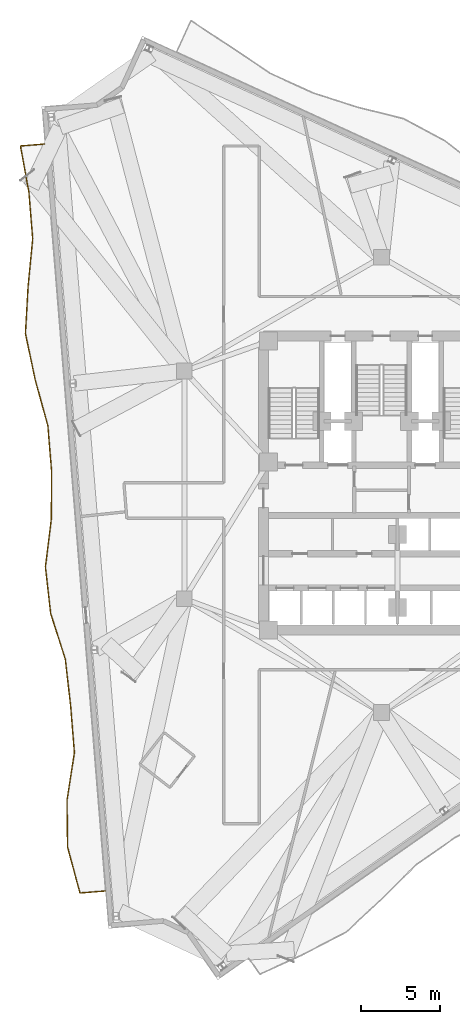
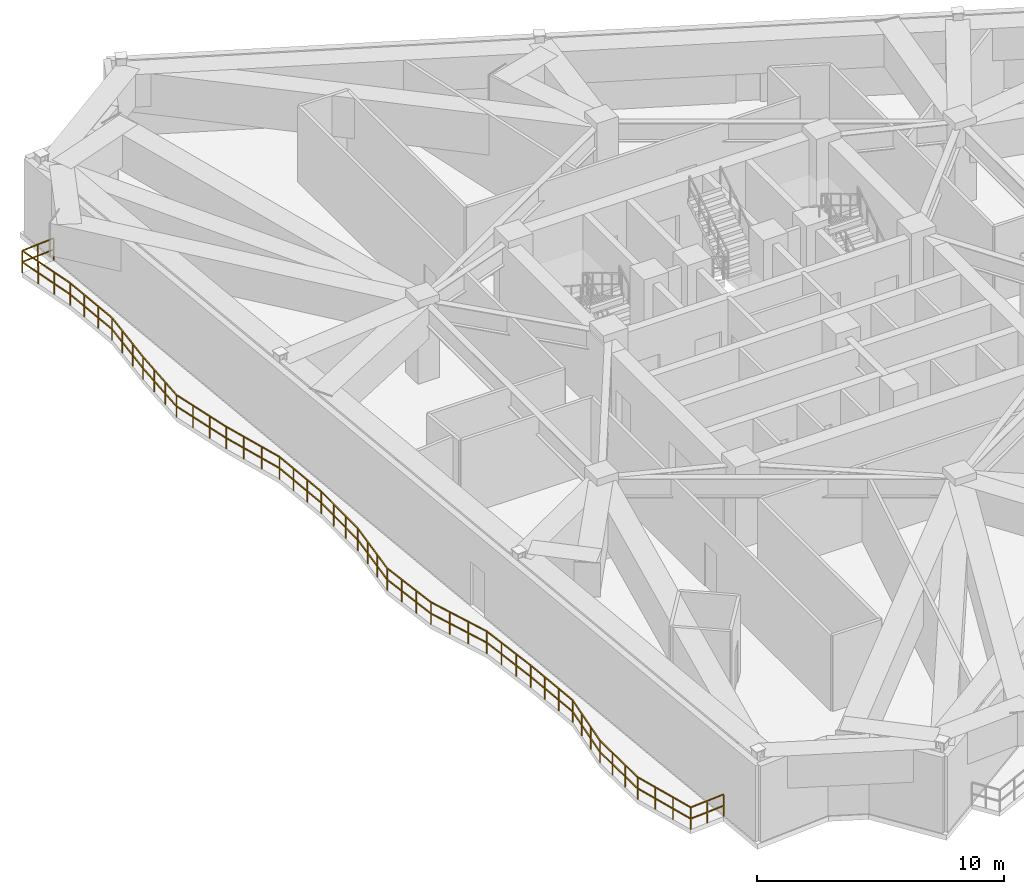
# One storey, part 11 of 14: 1 railing.
"""IFC4 building model written with IfcOpenShell, lengths in metres."""

from ifc_helpers import new_model, si_unit, direction, frame, origin, origin_2d, place, context, subcontext, project, spatial, rectangle, extrude, material, type_object, element, save


model = new_model("IFC4")

# Units and contexts
model_context = context("Model", 3, precision=1e-05, world=origin(), true_north=direction((0.0, 1.0)))
body_context = subcontext(model_context, "Body", "Model", "MODEL_VIEW")
ifc_project = project(units=[si_unit("LENGTHUNIT", "METRE"), si_unit("AREAUNIT", "SQUARE_METRE"), si_unit("VOLUMEUNIT", "CUBIC_METRE"), si_unit("PLANEANGLEUNIT", "RADIAN"), si_unit("MASSUNIT", "GRAM", prefix="KILO")], contexts=[model_context])

# Site, building, storey
site_placement = place(None, origin())
site = spatial("IfcSite", under=ifc_project, at=site_placement, CompositionType="ELEMENT")
building_placement = place(site_placement, origin())
building = spatial("IfcBuilding", under=site, at=building_placement, Name="Apsidion Concourse Tower", CompositionType="ELEMENT")
storey_placement = place(building_placement, frame((0.0, 0.0, 222.89990234375)))
storey = spatial("IfcBuildingStorey", under=building, at=storey_placement, Name="L52", CompositionType="ELEMENT", Elevation=222.89990234375)

# Railing
ifc_material = material(Name="Brushed stainless steel 316", Category="steel")
railing_type = type_object("IfcRailingType", Name="RL-BAL-1120", PredefinedType="BALUSTRADE", material=ifc_material)
railing_placement = place(storey_placement, frame((-17.59326171875, -25.86328125, 0.0)))
element("IfcRailing", 1, at=railing_placement, inside=storey, type_object=railing_type, Name="L52 Face 1 Rippling Balcony Balustrade", PredefinedType="BALUSTRADE", context=body_context, shape_type="SweptSolid", body=[
    extrude(rectangle(XDim=0.048095703125, YDim=0.048095703125, at=origin_2d()), frame((0.0, 0.0, 1.09619140625), z_axis=(-0.99671722122, -0.080961601542, 0.0), x_axis=(0.080961601542, -0.99671722122, 0.0)), (0.0, 0.0, 1.0), 1.619384765625),
    extrude(rectangle(XDim=0.048095703125, YDim=0.048095703125, at=origin_2d()), frame((0.0, 0.0, 0.5361328125), z_axis=(-0.99671722122, -0.080961601542, 0.0), x_axis=(0.080961601542, -0.99671722122, 0.0)), (0.0, 0.0, 1.0), 1.619384765625),
    extrude(rectangle(XDim=0.048095703125, YDim=0.048095703125, at=origin_2d()), frame((-1.614013671875, -0.131103515625, 1.09619140625), z_axis=(-0.26129208126, 0.965259782789, 0.0), x_axis=(-0.965259782789, -0.26129208126, 0.0)), (0.0, 0.0, 1.0), 3.033935546875),
    extrude(rectangle(XDim=0.048095703125, YDim=0.048095703125, at=origin_2d()), frame((-1.614013671875, -0.131103515625, 0.5361328125), z_axis=(-0.26129208126, 0.965259782789, 0.0), x_axis=(-0.965259782789, -0.26129208126, 0.0)), (0.0, 0.0, 1.0), 3.033935546875),
    extrude(rectangle(XDim=0.048095703125, YDim=0.048095703125, at=origin_2d()), frame((-2.40673828125, 2.79736328125, 1.09619140625), z_axis=(-0.011430624117, 0.999934668282, 0.0), x_axis=(-0.999934668282, -0.011430624117, 0.0)), (0.0, 0.0, 1.0), 2.990234375),
    extrude(rectangle(XDim=0.048095703125, YDim=0.048095703125, at=origin_2d()), frame((-2.40673828125, 2.79736328125, 0.5361328125), z_axis=(-0.011430624117, 0.999934668282, 0.0), x_axis=(-0.999934668282, -0.011430624117, 0.0)), (0.0, 0.0, 1.0), 2.990234375),
    extrude(rectangle(XDim=0.048095703125, YDim=0.048095703125, at=origin_2d()), frame((-2.44091796875, 5.787353515625, 1.09619140625), z_axis=(0.153456592144, 0.988155389768, 0.0), x_axis=(-0.988155389768, 0.153456592144, 0.0)), (0.0, 0.0, 1.0), 3.0673828125),
    extrude(rectangle(XDim=0.048095703125, YDim=0.048095703125, at=origin_2d()), frame((-2.44091796875, 5.787353515625, 0.5361328125), z_axis=(0.153456592144, 0.988155389768, 0.0), x_axis=(-0.988155389768, 0.153456592144, 0.0)), (0.0, 0.0, 1.0), 3.0673828125),
    extrude(rectangle(XDim=0.048095703125, YDim=0.048095703125, at=origin_2d()), frame((-1.97021484375, 8.818359375, 1.09619140625), z_axis=(-0.080857620006, 0.996725661999, 0.0), x_axis=(-0.996725661999, -0.080857620006, 0.0)), (0.0, 0.0, 1.0), 2.983154296875),
    extrude(rectangle(XDim=0.048095703125, YDim=0.048095703125, at=origin_2d()), frame((-1.97021484375, 8.818359375, 0.5361328125), z_axis=(-0.080857620006, 0.996725661999, 0.0), x_axis=(-0.996725661999, -0.080857620006, 0.0)), (0.0, 0.0, 1.0), 2.983154296875),
    extrude(rectangle(XDim=0.048095703125, YDim=0.048095703125, at=origin_2d()), frame((-2.21142578125, 11.791748046875, 1.09619140625), z_axis=(-0.112972094562, 0.993598161155, 0.0), x_axis=(-0.993598161155, -0.112972094562, 0.0)), (0.0, 0.0, 1.0), 2.984375),
    extrude(rectangle(XDim=0.048095703125, YDim=0.048095703125, at=origin_2d()), frame((-2.21142578125, 11.791748046875, 0.5361328125), z_axis=(-0.112972094562, 0.993598161155, 0.0), x_axis=(-0.993598161155, -0.112972094562, 0.0)), (0.0, 0.0, 1.0), 2.984375),
    extrude(rectangle(XDim=0.048095703125, YDim=0.048095703125, at=origin_2d()), frame((-2.548583984375, 14.757080078125, 1.09619140625), z_axis=(-0.304460407151, 0.952524992049, 0.0), x_axis=(-0.952524992049, -0.304460407151, 0.0)), (0.0, 0.0, 1.0), 3.0625),
    extrude(rectangle(XDim=0.048095703125, YDim=0.048095703125, at=origin_2d()), frame((-2.548583984375, 14.757080078125, 0.5361328125), z_axis=(-0.304460407151, 0.952524992049, 0.0), x_axis=(-0.952524992049, -0.304460407151, 0.0)), (0.0, 0.0, 1.0), 3.0625),
    extrude(rectangle(XDim=0.048095703125, YDim=0.048095703125, at=origin_2d()), frame((-3.48095703125, 17.674072265625, 1.09619140625), z_axis=(-0.112720640416, 0.993626719258, 0.0), x_axis=(-0.993626719258, -0.112720640416, 0.0)), (0.0, 0.0, 1.0), 2.984619140625),
    extrude(rectangle(XDim=0.048095703125, YDim=0.048095703125, at=origin_2d()), frame((-3.48095703125, 17.674072265625, 0.5361328125), z_axis=(-0.112720640416, 0.993626719258, 0.0), x_axis=(-0.993626719258, -0.112720640416, 0.0)), (0.0, 0.0, 1.0), 2.984619140625),
    extrude(rectangle(XDim=0.048095703125, YDim=0.048095703125, at=origin_2d()), frame((-3.8173828125, 20.6396484375, 1.09619140625), z_axis=(0.123324601659, 0.992366385276, 0.0), x_axis=(-0.992366385276, 0.123324601659, 0.0)), (0.0, 0.0, 1.0), 3.046630859375),
    extrude(rectangle(XDim=0.048095703125, YDim=0.048095703125, at=origin_2d()), frame((-3.8173828125, 20.6396484375, 0.5361328125), z_axis=(0.123324601659, 0.992366385276, 0.0), x_axis=(-0.992366385276, 0.123324601659, 0.0)), (0.0, 0.0, 1.0), 3.046630859375),
    extrude(rectangle(XDim=0.048095703125, YDim=0.048095703125, at=origin_2d()), frame((-3.441650390625, 23.6630859375, 1.09619140625), z_axis=(0.00774475386, 0.999970008944, 0.0), x_axis=(-0.999970008944, 0.00774475386, 0.0)), (0.0, 0.0, 1.0), 2.99462890625),
    extrude(rectangle(XDim=0.048095703125, YDim=0.048095703125, at=origin_2d()), frame((-3.441650390625, 23.6630859375, 0.5361328125), z_axis=(0.00774475386, 0.999970008944, 0.0), x_axis=(-0.999970008944, 0.00774475386, 0.0)), (0.0, 0.0, 1.0), 2.99462890625),
    extrude(rectangle(XDim=0.048095703125, YDim=0.048095703125, at=origin_2d()), frame((-3.41845703125, 26.65771484375, 1.09619140625), z_axis=(-0.080945526608, 0.996718526828, 0.0), x_axis=(-0.996718526828, -0.080945526608, 0.0)), (0.0, 0.0, 1.0), 2.98291015625),
    extrude(rectangle(XDim=0.048095703125, YDim=0.048095703125, at=origin_2d()), frame((-3.41845703125, 26.65771484375, 0.5361328125), z_axis=(-0.080945526608, 0.996718526828, 0.0), x_axis=(-0.996718526828, -0.080945526608, 0.0)), (0.0, 0.0, 1.0), 2.98291015625),
    extrude(rectangle(XDim=0.048095703125, YDim=0.048095703125, at=origin_2d()), frame((-3.659912109375, 29.630859375, 1.09619140625), z_axis=(-0.266109328281, 0.963942853805, 0.0), x_axis=(-0.963942853805, -0.266109328281, 0.0)), (0.0, 0.0, 1.0), 3.03662109375),
    extrude(rectangle(XDim=0.048095703125, YDim=0.048095703125, at=origin_2d()), frame((-3.659912109375, 29.630859375, 0.5361328125), z_axis=(-0.266109328281, 0.963942853805, 0.0), x_axis=(-0.963942853805, -0.266109328281, 0.0)), (0.0, 0.0, 1.0), 3.03662109375),
    extrude(rectangle(XDim=0.048095703125, YDim=0.048095703125, at=origin_2d()), frame((-4.468017578125, 32.55810546875, 1.09619140625), z_axis=(-0.206611888783, 0.978422979807, 0.0), x_axis=(-0.978422979807, -0.206611888783, 0.0)), (0.0, 0.0, 1.0), 3.00732421875),
    extrude(rectangle(XDim=0.048095703125, YDim=0.048095703125, at=origin_2d()), frame((-4.468017578125, 32.55810546875, 0.5361328125), z_axis=(-0.206611888783, 0.978422979807, 0.0), x_axis=(-0.978422979807, -0.206611888783, 0.0)), (0.0, 0.0, 1.0), 3.00732421875),
    extrude(rectangle(XDim=0.048095703125, YDim=0.048095703125, at=origin_2d()), frame((-5.08935546875, 35.50048828125, 1.09619140625), z_axis=(0.056588025536, 0.998397613862, 0.0), x_axis=(-0.998397613862, 0.056588025536, 0.0)), (0.0, 0.0, 1.0), 3.011474609375),
    extrude(rectangle(XDim=0.048095703125, YDim=0.048095703125, at=origin_2d()), frame((-5.08935546875, 35.50048828125, 0.5361328125), z_axis=(0.056588025536, 0.998397613862, 0.0), x_axis=(-0.998397613862, 0.056588025536, 0.0)), (0.0, 0.0, 1.0), 3.011474609375),
    extrude(rectangle(XDim=0.048095703125, YDim=0.048095703125, at=origin_2d()), frame((-4.9189453125, 38.507080078125, 1.09619140625), z_axis=(0.096743807802, 0.99530931657, 0.0), x_axis=(-0.99530931657, 0.096743807802, 0.0)), (0.0, 0.0, 1.0), 3.03076171875),
    extrude(rectangle(XDim=0.048095703125, YDim=0.048095703125, at=origin_2d()), frame((-4.9189453125, 38.507080078125, 0.5361328125), z_axis=(0.096743807802, 0.99530931657, 0.0), x_axis=(-0.99530931657, 0.096743807802, 0.0)), (0.0, 0.0, 1.0), 3.03076171875),
    extrude(rectangle(XDim=0.048095703125, YDim=0.048095703125, at=origin_2d()), frame((-4.625732421875, 41.523681640625, 1.09619140625), z_axis=(-0.080864216238, 0.996725126869, 0.0), x_axis=(-0.996725126869, -0.080864216238, 0.0)), (0.0, 0.0, 1.0), 2.98291015625),
    extrude(rectangle(XDim=0.048095703125, YDim=0.048095703125, at=origin_2d()), frame((-4.625732421875, 41.523681640625, 0.5361328125), z_axis=(-0.080864216238, 0.996725126869, 0.0), x_axis=(-0.996725126869, -0.080864216238, 0.0)), (0.0, 0.0, 1.0), 2.98291015625),
    extrude(rectangle(XDim=0.048095703125, YDim=0.048095703125, at=origin_2d()), frame((-4.866943359375, 44.496826171875, 1.09619140625), z_axis=(-0.180289789931, 0.983613537751, 0.0), x_axis=(-0.983613537751, -0.180289789931, 0.0)), (0.0, 0.0, 1.0), 2.998046875),
    extrude(rectangle(XDim=0.048095703125, YDim=0.048095703125, at=origin_2d()), frame((-4.866943359375, 44.496826171875, 0.5361328125), z_axis=(-0.180289789931, 0.983613537751, 0.0), x_axis=(-0.983613537751, -0.180289789931, 0.0)), (0.0, 0.0, 1.0), 2.998046875),
    extrude(rectangle(XDim=0.048095703125, YDim=0.048095703125, at=origin_2d()), frame((-5.407470703125, 47.44580078125, 1.09619140625), z_axis=(0.996717378871, 0.080959660673, 0.0), x_axis=(-0.080959660673, 0.996717378871, 0.0)), (0.0, 0.0, 1.0), 1.550048828125),
    extrude(rectangle(XDim=0.048095703125, YDim=0.048095703125, at=origin_2d()), frame((-5.407470703125, 47.44580078125, 0.5361328125), z_axis=(0.996717378871, 0.080959660673, 0.0), x_axis=(-0.080959660673, 0.996717378871, 0.0)), (0.0, 0.0, 1.0), 1.550048828125),
    extrude(rectangle(XDim=0.0419921875, YDim=0.0419921875, at=origin_2d()), origin(), (0.0, 0.0, 1.0), 1.072021484375),
    extrude(rectangle(XDim=0.0419921875, YDim=0.0419921875, at=origin_2d()), frame((-0.80712890625, -0.0654296875, 0.0)), (0.0, 0.0, 1.0), 1.072021484375),
    extrude(rectangle(XDim=0.0419921875, YDim=0.0419921875, at=origin_2d()), frame((-1.614013671875, -0.131103515625, 0.0)), (0.0, 0.0, 1.0), 1.072021484375),
    extrude(rectangle(XDim=0.0419921875, YDim=0.0419921875, at=origin_2d()), frame((-1.878173828125, 0.844970703125, 0.0)), (0.0, 0.0, 1.0), 1.072021484375),
    extrude(rectangle(XDim=0.0419921875, YDim=0.0419921875, at=origin_2d()), frame((-2.142578125, 1.8212890625, 0.0)), (0.0, 0.0, 1.0), 1.072021484375),
    extrude(rectangle(XDim=0.0419921875, YDim=0.0419921875, at=origin_2d()), frame((-2.40673828125, 2.79736328125, 0.0)), (0.0, 0.0, 1.0), 1.072021484375),
    extrude(rectangle(XDim=0.0419921875, YDim=0.0419921875, at=origin_2d()), frame((-2.418212890625, 3.7939453125, 0.0)), (0.0, 0.0, 1.0), 1.072021484375),
    extrude(rectangle(XDim=0.0419921875, YDim=0.0419921875, at=origin_2d()), frame((-2.429443359375, 4.790771484375, 0.0)), (0.0, 0.0, 1.0), 1.072021484375),
    extrude(rectangle(XDim=0.0419921875, YDim=0.0419921875, at=origin_2d()), frame((-2.44091796875, 5.787353515625, 0.0)), (0.0, 0.0, 1.0), 1.072021484375),
    extrude(rectangle(XDim=0.0419921875, YDim=0.0419921875, at=origin_2d()), frame((-2.283935546875, 6.797607421875, 0.0)), (0.0, 0.0, 1.0), 1.072021484375),
    extrude(rectangle(XDim=0.0419921875, YDim=0.0419921875, at=origin_2d()), frame((-2.127197265625, 7.80810546875, 0.0)), (0.0, 0.0, 1.0), 1.072021484375),
    extrude(rectangle(XDim=0.0419921875, YDim=0.0419921875, at=origin_2d()), frame((-1.97021484375, 8.818359375, 0.0)), (0.0, 0.0, 1.0), 1.072021484375),
    extrude(rectangle(XDim=0.0419921875, YDim=0.0419921875, at=origin_2d()), frame((-2.050537109375, 9.8095703125, 0.0)), (0.0, 0.0, 1.0), 1.072021484375),
    extrude(rectangle(XDim=0.0419921875, YDim=0.0419921875, at=origin_2d()), frame((-2.131103515625, 10.800537109375, 0.0)), (0.0, 0.0, 1.0), 1.072021484375),
    extrude(rectangle(XDim=0.0419921875, YDim=0.0419921875, at=origin_2d()), frame((-2.21142578125, 11.791748046875, 0.0)), (0.0, 0.0, 1.0), 1.072021484375),
    extrude(rectangle(XDim=0.0419921875, YDim=0.0419921875, at=origin_2d()), frame((-2.32373046875, 12.7802734375, 0.0)), (0.0, 0.0, 1.0), 1.072021484375),
    extrude(rectangle(XDim=0.0419921875, YDim=0.0419921875, at=origin_2d()), frame((-2.436279296875, 13.7685546875, 0.0)), (0.0, 0.0, 1.0), 1.072021484375),
    extrude(rectangle(XDim=0.0419921875, YDim=0.0419921875, at=origin_2d()), frame((-2.548583984375, 14.757080078125, 0.0)), (0.0, 0.0, 1.0), 1.072021484375),
    extrude(rectangle(XDim=0.0419921875, YDim=0.0419921875, at=origin_2d()), frame((-2.859375, 15.7294921875, 0.0)), (0.0, 0.0, 1.0), 1.072021484375),
    extrude(rectangle(XDim=0.0419921875, YDim=0.0419921875, at=origin_2d()), frame((-3.170166015625, 16.70166015625, 0.0)), (0.0, 0.0, 1.0), 1.072021484375),
    extrude(rectangle(XDim=0.0419921875, YDim=0.0419921875, at=origin_2d()), frame((-3.48095703125, 17.674072265625, 0.0)), (0.0, 0.0, 1.0), 1.072021484375),
    extrude(rectangle(XDim=0.0419921875, YDim=0.0419921875, at=origin_2d()), frame((-3.593017578125, 18.66259765625, 0.0)), (0.0, 0.0, 1.0), 1.072021484375),
    extrude(rectangle(XDim=0.0419921875, YDim=0.0419921875, at=origin_2d()), frame((-3.705322265625, 19.651123046875, 0.0)), (0.0, 0.0, 1.0), 1.072021484375),
    extrude(rectangle(XDim=0.0419921875, YDim=0.0419921875, at=origin_2d()), frame((-3.8173828125, 20.6396484375, 0.0)), (0.0, 0.0, 1.0), 1.072021484375),
    extrude(rectangle(XDim=0.0419921875, YDim=0.0419921875, at=origin_2d()), frame((-3.692138671875, 21.6474609375, 0.0)), (0.0, 0.0, 1.0), 1.072021484375),
    extrude(rectangle(XDim=0.0419921875, YDim=0.0419921875, at=origin_2d()), frame((-3.56689453125, 22.6552734375, 0.0)), (0.0, 0.0, 1.0), 1.072021484375),
    extrude(rectangle(XDim=0.0419921875, YDim=0.0419921875, at=origin_2d()), frame((-3.441650390625, 23.6630859375, 0.0)), (0.0, 0.0, 1.0), 1.072021484375),
    extrude(rectangle(XDim=0.0419921875, YDim=0.0419921875, at=origin_2d()), frame((-3.433837890625, 24.661376953125, 0.0)), (0.0, 0.0, 1.0), 1.072021484375),
    extrude(rectangle(XDim=0.0419921875, YDim=0.0419921875, at=origin_2d()), frame((-3.42626953125, 25.659423828125, 0.0)), (0.0, 0.0, 1.0), 1.072021484375),
    extrude(rectangle(XDim=0.0419921875, YDim=0.0419921875, at=origin_2d()), frame((-3.41845703125, 26.65771484375, 0.0)), (0.0, 0.0, 1.0), 1.072021484375),
    extrude(rectangle(XDim=0.0419921875, YDim=0.0419921875, at=origin_2d()), frame((-3.4990234375, 27.648681640625, 0.0)), (0.0, 0.0, 1.0), 1.072021484375),
    extrude(rectangle(XDim=0.0419921875, YDim=0.0419921875, at=origin_2d()), frame((-3.579345703125, 28.639892578125, 0.0)), (0.0, 0.0, 1.0), 1.072021484375),
    extrude(rectangle(XDim=0.0419921875, YDim=0.0419921875, at=origin_2d()), frame((-3.659912109375, 29.630859375, 0.0)), (0.0, 0.0, 1.0), 1.072021484375),
    extrude(rectangle(XDim=0.0419921875, YDim=0.0419921875, at=origin_2d()), frame((-3.92919921875, 30.606689453125, 0.0)), (0.0, 0.0, 1.0), 1.072021484375),
    extrude(rectangle(XDim=0.0419921875, YDim=0.0419921875, at=origin_2d()), frame((-4.19873046875, 31.582275390625, 0.0)), (0.0, 0.0, 1.0), 1.072021484375),
    extrude(rectangle(XDim=0.0419921875, YDim=0.0419921875, at=origin_2d()), frame((-4.468017578125, 32.55810546875, 0.0)), (0.0, 0.0, 1.0), 1.072021484375),
    extrude(rectangle(XDim=0.0419921875, YDim=0.0419921875, at=origin_2d()), frame((-4.675048828125, 33.538818359375, 0.0)), (0.0, 0.0, 1.0), 1.072021484375),
    extrude(rectangle(XDim=0.0419921875, YDim=0.0419921875, at=origin_2d()), frame((-4.88232421875, 34.519775390625, 0.0)), (0.0, 0.0, 1.0), 1.072021484375),
    extrude(rectangle(XDim=0.0419921875, YDim=0.0419921875, at=origin_2d()), frame((-5.08935546875, 35.50048828125, 0.0)), (0.0, 0.0, 1.0), 1.072021484375),
    extrude(rectangle(XDim=0.0419921875, YDim=0.0419921875, at=origin_2d()), frame((-5.032470703125, 36.502685546875, 0.0)), (0.0, 0.0, 1.0), 1.072021484375),
    extrude(rectangle(XDim=0.0419921875, YDim=0.0419921875, at=origin_2d()), frame((-4.975830078125, 37.5048828125, 0.0)), (0.0, 0.0, 1.0), 1.072021484375),
    extrude(rectangle(XDim=0.0419921875, YDim=0.0419921875, at=origin_2d()), frame((-4.9189453125, 38.507080078125, 0.0)), (0.0, 0.0, 1.0), 1.072021484375),
    extrude(rectangle(XDim=0.0419921875, YDim=0.0419921875, at=origin_2d()), frame((-4.8212890625, 39.5126953125, 0.0)), (0.0, 0.0, 1.0), 1.072021484375),
    extrude(rectangle(XDim=0.0419921875, YDim=0.0419921875, at=origin_2d()), frame((-4.723388671875, 40.51806640625, 0.0)), (0.0, 0.0, 1.0), 1.072021484375),
    extrude(rectangle(XDim=0.0419921875, YDim=0.0419921875, at=origin_2d()), frame((-4.625732421875, 41.523681640625, 0.0)), (0.0, 0.0, 1.0), 1.072021484375),
    extrude(rectangle(XDim=0.0419921875, YDim=0.0419921875, at=origin_2d()), frame((-4.7060546875, 42.5146484375, 0.0)), (0.0, 0.0, 1.0), 1.072021484375),
    extrude(rectangle(XDim=0.0419921875, YDim=0.0419921875, at=origin_2d()), frame((-4.78662109375, 43.505859375, 0.0)), (0.0, 0.0, 1.0), 1.072021484375),
    extrude(rectangle(XDim=0.0419921875, YDim=0.0419921875, at=origin_2d()), frame((-4.866943359375, 44.496826171875, 0.0)), (0.0, 0.0, 1.0), 1.072021484375),
    extrude(rectangle(XDim=0.0419921875, YDim=0.0419921875, at=origin_2d()), frame((-5.047119140625, 45.479736328125, 0.0)), (0.0, 0.0, 1.0), 1.072021484375),
    extrude(rectangle(XDim=0.0419921875, YDim=0.0419921875, at=origin_2d()), frame((-5.227294921875, 46.462890625, 0.0)), (0.0, 0.0, 1.0), 1.072021484375),
    extrude(rectangle(XDim=0.0419921875, YDim=0.0419921875, at=origin_2d()), frame((-5.407470703125, 47.44580078125, 0.0)), (0.0, 0.0, 1.0), 1.072021484375),
    extrude(rectangle(XDim=0.0419921875, YDim=0.0419921875, at=origin_2d()), frame((-4.635009765625, 47.508544921875, 0.0)), (0.0, 0.0, 1.0), 1.072021484375),
    extrude(rectangle(XDim=0.0419921875, YDim=0.0419921875, at=origin_2d()), frame((-3.862548828125, 47.5712890625, 0.0)), (0.0, 0.0, 1.0), 1.072021484375),
])

save(model, "model.ifc")
